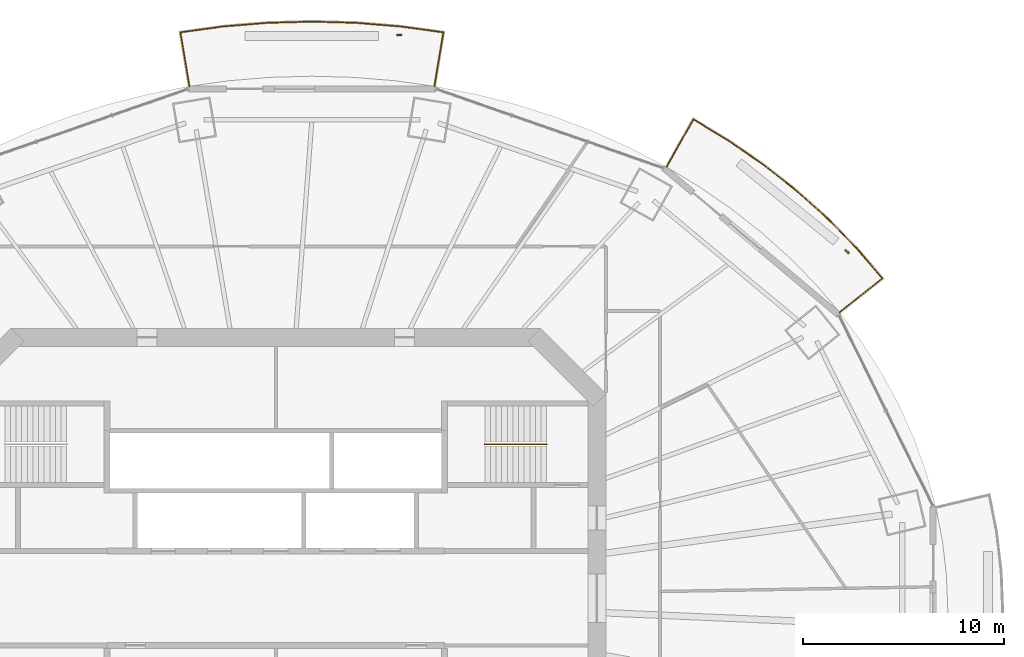
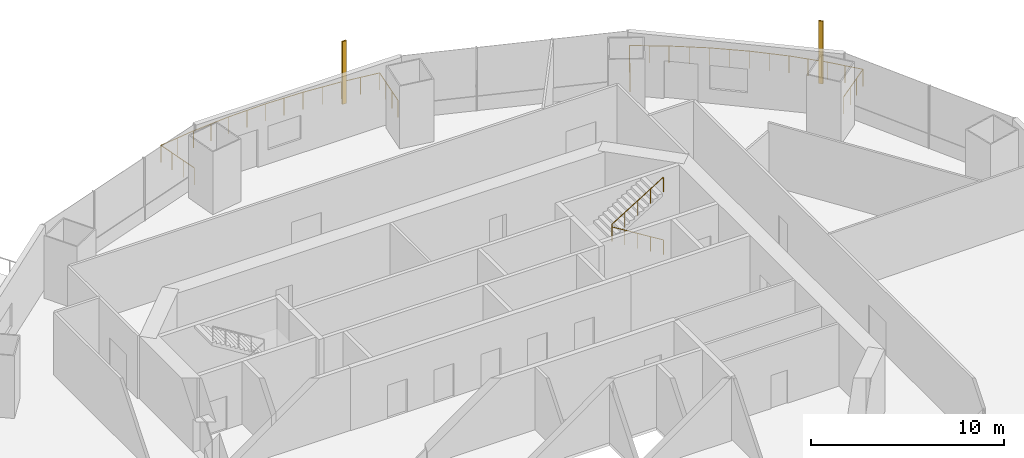
# One storey, part 19 of 21: 3 railings, 2 shading devices.
"""IFC4 building model written with IfcOpenShell, lengths in metres."""

from ifc_helpers import new_model, si_unit, direction, frame, origin, origin_2d, place, context, subcontext, project, spatial, rectangle, circle, extrude, material, material_profile, profile_set, type_object, element, save


model = new_model("IFC4")

# Units and contexts
model_context = context("Model", 3, precision=1e-05, world=origin(), true_north=direction((0.0, 1.0)))
body_context = subcontext(model_context, "Body", "Model", "MODEL_VIEW")
ifc_project = project(units=[si_unit("LENGTHUNIT", "METRE"), si_unit("AREAUNIT", "SQUARE_METRE"), si_unit("VOLUMEUNIT", "CUBIC_METRE"), si_unit("PLANEANGLEUNIT", "RADIAN"), si_unit("MASSUNIT", "GRAM", prefix="KILO")], contexts=[model_context])

# Site, building, storey
site_placement = place(None, origin())
site = spatial("IfcSite", under=ifc_project, at=site_placement, CompositionType="ELEMENT")
building_placement = place(site_placement, origin())
building = spatial("IfcBuilding", under=site, at=building_placement, Name="Marenthal Gate Tower", CompositionType="ELEMENT")
storey_placement = place(building_placement, frame((0.0, 0.0, 202.550048828125)))
storey = spatial("IfcBuildingStorey", under=building, at=storey_placement, Name="L44", CompositionType="ELEMENT", Elevation=202.550048828125)

# Railings
ifc_material_1 = material(Name="Stainless steel", Category="steel")
railing_type_1 = type_object("IfcRailingType", Name="Balcony guard 1100", PredefinedType="GUARDRAIL", material=ifc_material_1)
railing_1_placement = place(storey_placement, frame((19.476806640625, 21.490478515625, 0.0)))
element("IfcRailing", 1, at=railing_1_placement, inside=storey, type_object=railing_type_1, Name="Balcony guard L44 bay 2", PredefinedType="GUARDRAIL", context=body_context, shape_type="SweptSolid", body=[
    extrude(circle(Radius=0.02392578125, at=origin_2d()), frame((0.0, 0.0, 1.076171875), z_axis=(0.489654113359, 0.871792532473, -0.014718342117), x_axis=(-0.871886975849, 0.489707158764, 0.0)), (0.0, 0.0, 1.0), 2.720458984375),
    extrude(circle(Radius=0.02392578125, at=origin_2d()), frame((1.33203125, 2.37158203125, 1.0361328125), z_axis=(0.856189474473, -0.516661962797, 0.0), x_axis=(0.516661962797, 0.856189474473, 0.0)), (0.0, 0.0, 1.0), 2.0537109375),
    extrude(circle(Radius=0.02392578125, at=origin_2d()), frame((3.09033203125, 1.310546875, 1.0361328125), z_axis=(0.823307575665, -0.56759548611, 0.0), x_axis=(0.56759548611, 0.823307575665, 0.0)), (0.0, 0.0, 1.0), 2.11669921875),
    extrude(circle(Radius=0.02392578125, at=origin_2d()), frame((4.8330078125, 0.109130859375, 1.0361328125), z_axis=(0.785971142181, -0.618263183166, 0.0), x_axis=(0.618263183166, 0.785971142181, 0.0)), (0.0, 0.0, 1.0), 2.09912109375),
    extrude(circle(Radius=0.02392578125, at=origin_2d()), frame((6.48291015625, -1.188720703125, 1.0361328125), z_axis=(0.744529235913, -0.667589856776, 0.0), x_axis=(0.667589856776, 0.744529235913, 0.0)), (0.0, 0.0, 1.0), 2.08154296875),
    extrude(circle(Radius=0.02392578125, at=origin_2d()), frame((8.03271484375, -2.578369140625, 1.0361328125), z_axis=(0.698897192243, -0.715222143585, 0.0), x_axis=(0.715222143585, 0.698897192243, 0.0)), (0.0, 0.0, 1.0), 2.063720703125),
    extrude(circle(Radius=0.02392578125, at=origin_2d()), frame((9.47509765625, -4.054443359375, 1.0361328125), z_axis=(0.650106163754, -0.759843389028, 0.0), x_axis=(0.759843389028, 0.650106163754, 0.0)), (0.0, 0.0, 1.0), 1.966796875),
    extrude(circle(Radius=0.02392578125, at=origin_2d()), frame((10.753662109375, -5.548828125, 1.0361328125), z_axis=(-0.782732861269, -0.622183779773, 0.01471774699), x_axis=(0.622251176983, -0.782817649739, 0.0)), (0.0, 0.0, 1.0), 2.720458984375),
    extrude(circle(Radius=0.02099609375, at=origin_2d()), origin(), (0.0, 0.0, 1.0), 1.052001953125),
    extrude(circle(Radius=0.02099609375, at=origin_2d()), frame((0.444091796875, 0.79052734375, -0.013427734375)), (0.0, 0.0, 1.0), 1.052001953125),
    extrude(circle(Radius=0.02099609375, at=origin_2d()), frame((0.887939453125, 1.5810546875, -0.026611328125)), (0.0, 0.0, 1.0), 1.052001953125),
    extrude(circle(Radius=0.02099609375, at=origin_2d()), frame((1.33203125, 2.37158203125, -0.0400390625)), (0.0, 0.0, 1.0), 1.052001953125),
    extrude(circle(Radius=0.02099609375, at=origin_2d()), frame((2.211181640625, 1.841064453125, -0.0400390625)), (0.0, 0.0, 1.0), 1.052001953125),
    extrude(circle(Radius=0.02099609375, at=origin_2d()), frame((3.09033203125, 1.310546875, -0.0400390625)), (0.0, 0.0, 1.0), 1.052001953125),
    extrude(circle(Radius=0.02099609375, at=origin_2d()), frame((3.961669921875, 0.7099609375, -0.0400390625)), (0.0, 0.0, 1.0), 1.052001953125),
    extrude(circle(Radius=0.02099609375, at=origin_2d()), frame((4.8330078125, 0.109130859375, -0.0400390625)), (0.0, 0.0, 1.0), 1.052001953125),
    extrude(circle(Radius=0.02099609375, at=origin_2d()), frame((5.657958984375, -0.539794921875, -0.0400390625)), (0.0, 0.0, 1.0), 1.052001953125),
    extrude(circle(Radius=0.02099609375, at=origin_2d()), frame((6.48291015625, -1.188720703125, -0.0400390625)), (0.0, 0.0, 1.0), 1.052001953125),
    extrude(circle(Radius=0.02099609375, at=origin_2d()), frame((7.2578125, -1.883544921875, -0.0400390625)), (0.0, 0.0, 1.0), 1.052001953125),
    extrude(circle(Radius=0.02099609375, at=origin_2d()), frame((8.03271484375, -2.578369140625, -0.0400390625)), (0.0, 0.0, 1.0), 1.052001953125),
    extrude(circle(Radius=0.02099609375, at=origin_2d()), frame((8.75390625, -3.31640625, -0.0400390625)), (0.0, 0.0, 1.0), 1.052001953125),
    extrude(circle(Radius=0.02099609375, at=origin_2d()), frame((9.47509765625, -4.054443359375, -0.0400390625)), (0.0, 0.0, 1.0), 1.052001953125),
    extrude(circle(Radius=0.02099609375, at=origin_2d()), frame((10.1142578125, -4.8017578125, -0.0400390625)), (0.0, 0.0, 1.0), 1.052001953125),
    extrude(circle(Radius=0.02099609375, at=origin_2d()), frame((10.753662109375, -5.548828125, -0.0400390625)), (0.0, 0.0, 1.0), 1.052001953125),
    extrude(circle(Radius=0.02099609375, at=origin_2d()), frame((10.0439453125, -6.113037109375, -0.026611328125)), (0.0, 0.0, 1.0), 1.052001953125),
    extrude(circle(Radius=0.02099609375, at=origin_2d()), frame((9.333984375, -6.67724609375, -0.013427734375)), (0.0, 0.0, 1.0), 1.052001953125),
    extrude(circle(Radius=0.02099609375, at=origin_2d()), frame((8.624267578125, -7.241455078125, 0.0)), (0.0, 0.0, 1.0), 1.052001953125),
])
railing_2_placement = place(storey_placement, frame((-4.303955078125, 25.516845703125, 0.0)))
element("IfcRailing", 2, at=railing_2_placement, inside=storey, type_object=railing_type_1, Name="Balcony guard L44 bay 4", PredefinedType="GUARDRAIL", context=body_context, shape_type="SweptSolid", body=[
    extrude(circle(Radius=0.02392578125, at=origin_2d()), frame((0.0, 0.0, 1.076171875), z_axis=(-0.164876009703, 0.98620446087, -0.014719469565), x_axis=(-0.986311315136, -0.164893873854, 0.0)), (0.0, 0.0, 1.0), 2.72021484375),
    extrude(circle(Radius=0.02392578125, at=origin_2d()), frame((-0.448486328125, 2.6826171875, 1.0361328125), z_axis=(0.990665342735, 0.136316465269, 0.0), x_axis=(-0.136316465269, 0.990665342735, 0.0)), (0.0, 0.0, 1.0), 2.13671875),
    extrude(circle(Radius=0.02392578125, at=origin_2d()), frame((1.668212890625, 2.973876953125, 1.0361328125), z_axis=(0.996595612973, 0.082445037473, 0.0), x_axis=(-0.082445037473, 0.996595612973, 0.0)), (0.0, 0.0, 1.0), 2.220947265625),
    extrude(circle(Radius=0.02392578125, at=origin_2d()), frame((3.881591796875, 3.156982421875, 1.0361328125), z_axis=(0.999620072433, 0.027562851607, 0.0), x_axis=(-0.027562851607, 0.999620072433, 0.0)), (0.0, 0.0, 1.0), 2.22314453125),
    extrude(circle(Radius=0.02392578125, at=origin_2d()), frame((6.10400390625, 3.21826171875, 1.0361328125), z_axis=(0.999620072433, -0.027562851607, 0.0), x_axis=(0.027562851607, 0.999620072433, 0.0)), (0.0, 0.0, 1.0), 2.22314453125),
    extrude(circle(Radius=0.02392578125, at=origin_2d()), frame((8.326416015625, 3.156982421875, 1.0361328125), z_axis=(0.996595612973, -0.082445037473, 0.0), x_axis=(0.082445037473, 0.996595612973, 0.0)), (0.0, 0.0, 1.0), 2.220947265625),
    extrude(circle(Radius=0.02392578125, at=origin_2d()), frame((10.539794921875, 2.973876953125, 1.0361328125), z_axis=(0.990663219108, -0.136331897612, 0.0), x_axis=(0.136331897612, 0.990663219108, 0.0)), (0.0, 0.0, 1.0), 2.136474609375),
    extrude(circle(Radius=0.02392578125, at=origin_2d()), frame((12.65625, 2.6826171875, 1.0361328125), z_axis=(-0.164876009703, -0.98620446087, 0.014719469565), x_axis=(0.986311315136, -0.164893873854, 0.0)), (0.0, 0.0, 1.0), 2.72021484375),
    extrude(circle(Radius=0.02099609375, at=origin_2d()), origin(), (0.0, 0.0, 1.0), 1.052001953125),
    extrude(circle(Radius=0.02099609375, at=origin_2d()), frame((-0.1494140625, 0.894287109375, -0.013427734375)), (0.0, 0.0, 1.0), 1.052001953125),
    extrude(circle(Radius=0.02099609375, at=origin_2d()), frame((-0.299072265625, 1.788330078125, -0.026611328125)), (0.0, 0.0, 1.0), 1.052001953125),
    extrude(circle(Radius=0.02099609375, at=origin_2d()), frame((-0.448486328125, 2.6826171875, -0.0400390625)), (0.0, 0.0, 1.0), 1.052001953125),
    extrude(circle(Radius=0.02099609375, at=origin_2d()), frame((0.60986328125, 2.828125, -0.0400390625)), (0.0, 0.0, 1.0), 1.052001953125),
    extrude(circle(Radius=0.02099609375, at=origin_2d()), frame((1.668212890625, 2.973876953125, -0.0400390625)), (0.0, 0.0, 1.0), 1.052001953125),
    extrude(circle(Radius=0.02099609375, at=origin_2d()), frame((2.77490234375, 3.0654296875, -0.0400390625)), (0.0, 0.0, 1.0), 1.052001953125),
    extrude(circle(Radius=0.02099609375, at=origin_2d()), frame((3.881591796875, 3.156982421875, -0.0400390625)), (0.0, 0.0, 1.0), 1.052001953125),
    extrude(circle(Radius=0.02099609375, at=origin_2d()), frame((4.99267578125, 3.1875, -0.0400390625)), (0.0, 0.0, 1.0), 1.052001953125),
    extrude(circle(Radius=0.02099609375, at=origin_2d()), frame((6.10400390625, 3.21826171875, -0.0400390625)), (0.0, 0.0, 1.0), 1.052001953125),
    extrude(circle(Radius=0.02099609375, at=origin_2d()), frame((7.21533203125, 3.1875, -0.0400390625)), (0.0, 0.0, 1.0), 1.052001953125),
    extrude(circle(Radius=0.02099609375, at=origin_2d()), frame((8.326416015625, 3.156982421875, -0.0400390625)), (0.0, 0.0, 1.0), 1.052001953125),
    extrude(circle(Radius=0.02099609375, at=origin_2d()), frame((9.43310546875, 3.0654296875, -0.0400390625)), (0.0, 0.0, 1.0), 1.052001953125),
    extrude(circle(Radius=0.02099609375, at=origin_2d()), frame((10.539794921875, 2.973876953125, -0.0400390625)), (0.0, 0.0, 1.0), 1.052001953125),
    extrude(circle(Radius=0.02099609375, at=origin_2d()), frame((11.59814453125, 2.828125, -0.0400390625)), (0.0, 0.0, 1.0), 1.052001953125),
    extrude(circle(Radius=0.02099609375, at=origin_2d()), frame((12.65625, 2.6826171875, -0.0400390625)), (0.0, 0.0, 1.0), 1.052001953125),
    extrude(circle(Radius=0.02099609375, at=origin_2d()), frame((12.5068359375, 1.788330078125, -0.026611328125)), (0.0, 0.0, 1.0), 1.052001953125),
    extrude(circle(Radius=0.02099609375, at=origin_2d()), frame((12.357177734375, 0.894287109375, -0.013427734375)), (0.0, 0.0, 1.0), 1.052001953125),
    extrude(circle(Radius=0.02099609375, at=origin_2d()), frame((12.207763671875, 0.0, 0.0)), (0.0, 0.0, 1.0), 1.052001953125),
])
ifc_material_2 = material(Name="Stainless steel", Category="steel")
railing_type_2 = type_object("IfcRailingType", Name="Stair handrail", PredefinedType="HANDRAIL", material=ifc_material_2)
railing_3_placement = place(storey_placement, frame((13.5, 7.675048828125, 0.1728515625)))
element("IfcRailing", 3, at=railing_3_placement, inside=storey, type_object=railing_type_2, Name="Handrail ST3", PredefinedType="HANDRAIL", context=body_context, shape_type="SweptSolid", body=[
    extrude(circle(Radius=0.0224609375, at=origin_2d()), frame((0.0, 0.0, 0.927490234375), z_axis=(-0.850835241893, 0.0, 0.525432575268), x_axis=(0.0, -1.0, 0.0)), (0.0, 0.0, 1.0), 3.6201171875),
    extrude(circle(Radius=0.0224609375, at=origin_2d()), frame((-3.080078125, 0.0, 2.82958984375), z_axis=(0.0, 0.0, 1.0), x_axis=(1.0, 0.0, 0.0)), (0.0, 0.0, 1.0), 0.1728515625),
    extrude(circle(Radius=0.0224609375, at=origin_2d()), frame((-3.080078125, 0.0, 3.00244140625), z_axis=(0.850835241893, 0.0, 0.525432575268), x_axis=(0.0, 1.0, 0.0)), (0.0, 0.0, 1.0), 3.6201171875),
    extrude(circle(Radius=0.02001953125, at=origin_2d()), origin(), (0.0, 0.0, 1.0), 0.905029296875),
    extrude(circle(Radius=0.02001953125, at=origin_2d()), frame((-0.77001953125, 0.0, 0.4755859375)), (0.0, 0.0, 1.0), 0.905029296875),
    extrude(circle(Radius=0.02001953125, at=origin_2d()), frame((-1.5400390625, 0.0, 0.951171875)), (0.0, 0.0, 1.0), 0.905029296875),
    extrude(circle(Radius=0.02001953125, at=origin_2d()), frame((-2.31005859375, 0.0, 1.426513671875)), (0.0, 0.0, 1.0), 0.905029296875),
    extrude(circle(Radius=0.02001953125, at=origin_2d()), frame((-3.080078125, 0.0, 1.902099609375)), (0.0, 0.0, 1.0), 0.905029296875),
    extrude(circle(Radius=0.02001953125, at=origin_2d()), frame((-3.080078125, 0.0, 2.074951171875)), (0.0, 0.0, 1.0), 0.905029296875),
    extrude(circle(Radius=0.02001953125, at=origin_2d()), frame((-2.31005859375, 0.0, 2.550537109375)), (0.0, 0.0, 1.0), 0.905029296875),
    extrude(circle(Radius=0.02001953125, at=origin_2d()), frame((-1.5400390625, 0.0, 3.02587890625)), (0.0, 0.0, 1.0), 0.905029296875),
    extrude(circle(Radius=0.02001953125, at=origin_2d()), frame((-0.77001953125, 0.0, 3.50146484375)), (0.0, 0.0, 1.0), 0.905029296875),
    extrude(circle(Radius=0.02001953125, at=origin_2d()), frame((0.0, 0.0, 3.97705078125)), (0.0, 0.0, 1.0), 0.905029296875),
])

# Shading devices
ifc_material_3 = material(Name="Terracotta", Category="masonry")
ifc_material_profile = material_profile(ifc_material_3, rectangle(XDim=0.25, YDim=0.080078125, at=origin_2d()), Name="Terracotta baguette 250x80")
ifc_profile_set = profile_set([ifc_material_profile], Name="Terracotta")
shading_device_type = type_object("IfcShadingDeviceType", Name="Terracotta BAGUETTE SCREEN 250x80", PredefinedType="USERDEFINED", material=ifc_profile_set)
for number, where, z_axis, x_axis, name in (
    (4, (28.47021484375, 17.267578125, -0.0400390625), (0.0, 0.0, 1.0), (-0.765704864788, 0.643192086425, 0.0), "Terracotta BAGUETTE L44 bay 2L"),
    (5, (6.14404296875, 28.06005859375, -0.0400390625), (0.0, 0.0, 1.0), (-1.0, 0.0, 0.0), "Terracotta BAGUETTE L44 bay 4L"),
):
    element("IfcShadingDevice", number, at=place(storey_placement, frame(where, z_axis=z_axis, x_axis=x_axis)), inside=storey, type_object=shading_device_type, Name=name, ObjectType="BAGUETTE SCREEN", PredefinedType="USERDEFINED", context=body_context, shape_type="SweptSolid", body=[
        extrude(rectangle(XDim=0.25, YDim=0.080078125, at=origin_2d()), origin(), (0.0, 0.0, 1.0), 3.969970703125),
    ])

save(model, "model.ifc")
